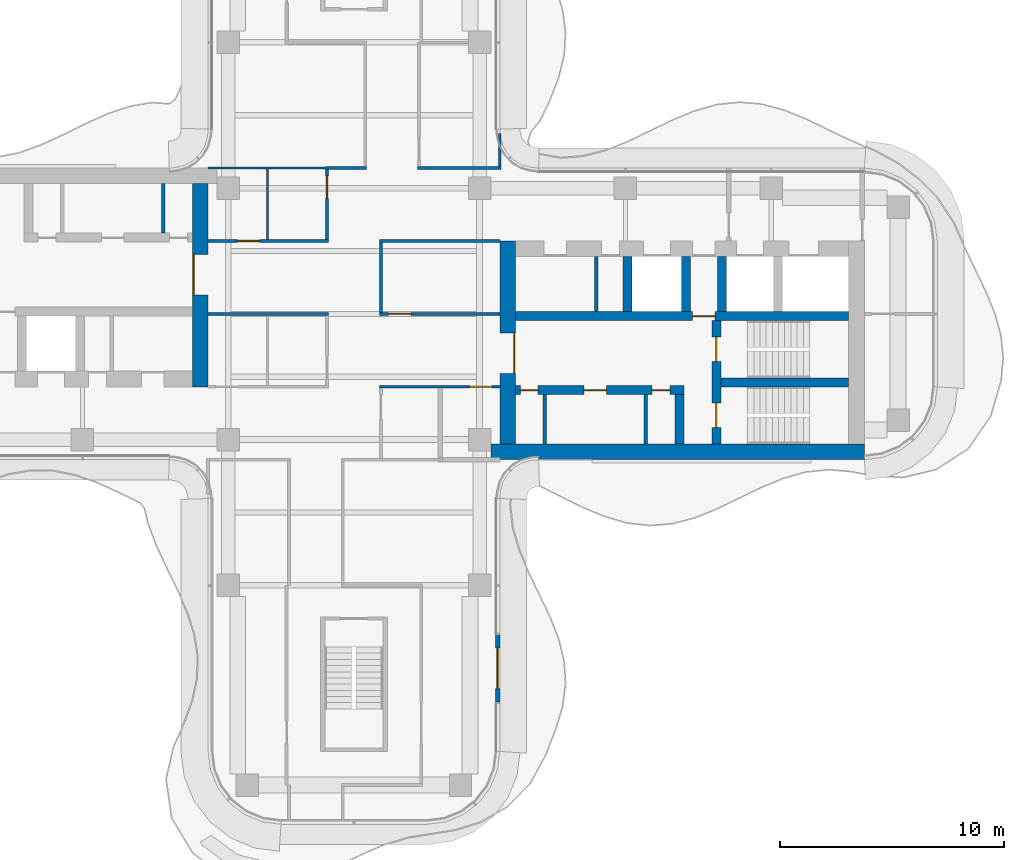
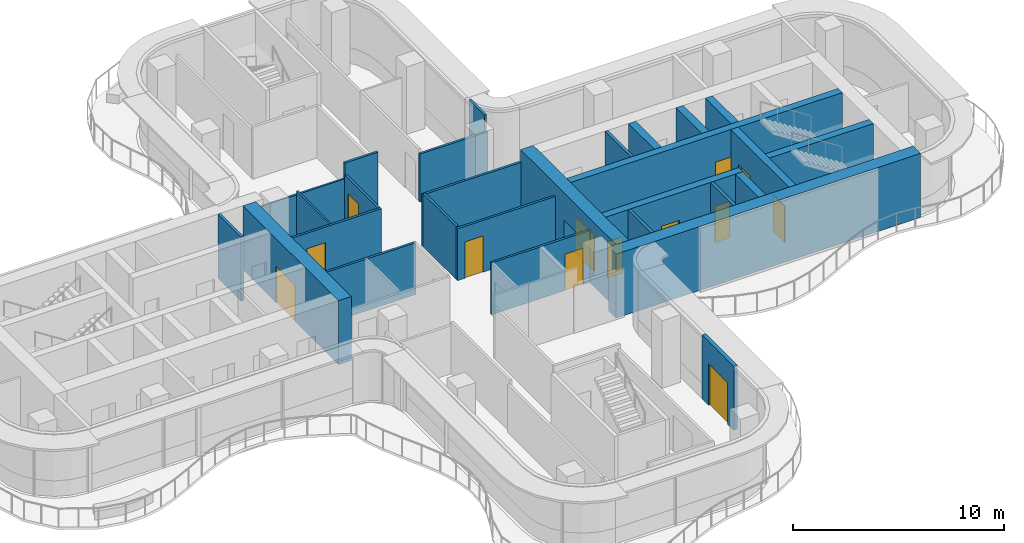
# One storey, part 12 of 16: 28 walls, 13 doors, 13 openings.
"""IFC4 building model written with IfcOpenShell, lengths in metres."""

from ifc_helpers import new_model, si_unit, direction, frame, frame_2d, origin, place, context, subcontext, project, spatial, rectangle, extrude, source, transform, mapped, material, layer, layer_set, type_object, element, fill, save


model = new_model("IFC4")

# Units and contexts
model_context = context("Model", 3, precision=1e-05, world=origin(), true_north=direction((0.0, 1.0)))
body_context = subcontext(model_context, "Body", "Model", "MODEL_VIEW")
ifc_project = project(units=[si_unit("LENGTHUNIT", "METRE"), si_unit("AREAUNIT", "SQUARE_METRE"), si_unit("VOLUMEUNIT", "CUBIC_METRE"), si_unit("PLANEANGLEUNIT", "RADIAN"), si_unit("MASSUNIT", "GRAM", prefix="KILO")], contexts=[model_context])

# Site, building, storey
site_placement = place(None, origin())
site = spatial("IfcSite", under=ifc_project, at=site_placement, CompositionType="ELEMENT")
building_placement = place(site_placement, origin())
building = spatial("IfcBuilding", under=site, at=building_placement, Name="Trellis Farm Tower", CompositionType="ELEMENT")
storey_placement = place(building_placement, frame((0.0, 0.0, 322.300048828125)))
storey = spatial("IfcBuildingStorey", under=building, at=storey_placement, Name="L73", CompositionType="ELEMENT", Elevation=322.300048828125)

# Wall, opening, door
ifc_material_1 = material(Name="Concrete C50/60", Category="concrete")
ifc_layer_1 = layer(ifc_material_1, 0.699951171875)
ifc_layer_set_1 = layer_set([ifc_layer_1], Name="CORE OUTER WALL 700 CONCRETE C50/60")
wall_type_1 = type_object("IfcWallType", Name="CORE OUTER WALL 700 CONCRETE C50/60", PredefinedType="SHEAR", material=ifc_layer_set_1)
shared_shape_1 = source(origin(), body_context, "Body", "SweptSolid", [
    extrude(rectangle(XDim=9.050048828125, YDim=0.699951171875, at=frame_2d((4.52490234375, 0.0))), origin(), (0.0, 0.0, 1.0), 3.699951171875),
])
wall_1_placement = place(storey_placement, frame((6.85009765625, -5.800048828125, 0.0), z_axis=(0.0, 0.0, 1.0), x_axis=(0.0, 1.0, 0.0)))
wall_1 = element("IfcWall", 1, at=wall_1_placement, inside=storey, type_object=wall_type_1, Name="Core wall", PredefinedType="SHEAR", context=body_context, shape_type="MappedRepresentation", body=[
    mapped(shared_shape_1, transform((0.0, 0.0, 0.0))),
])
shared_shape_2 = source(origin(), body_context, "Body", "SweptSolid", [
    extrude(rectangle(XDim=1.800048828125, YDim=2.10009765625, at=frame_2d((0.89990234375, 1.050048828125))), frame((0.0, 0.360107421875, 0.0), z_axis=(0.0, -1.0, 0.0), x_axis=(1.0, 0.0, 0.0)), (0.0, 0.0, 1.0), 0.72021484375),
])
opening_1_placement = place(wall_1_placement, frame((3.14990234375, 0.0, 0.0)))
opening_1 = element("IfcOpeningElement", 2, at=opening_1_placement, cuts=wall_1, Name="Opening DC1", PredefinedType="OPENING", context=body_context, shape_type="MappedRepresentation", body=[
    mapped(shared_shape_2, transform((0.0, 0.0, 0.0))),
])
ifc_material_2 = material(Name="Steel", Category="steel")
door_type_1 = type_object("IfcDoorType", Name="CORE FIRE DOOR DOUBLE 1800 X 2100", OperationType="DOUBLE_DOOR_SINGLE_SWING", PredefinedType="DOOR", material=ifc_material_2)
shared_shape_3 = source(origin(), body_context, "Body", "SweptSolid", [
    extrude(rectangle(XDim=1.800048828125, YDim=2.10009765625, at=frame_2d((0.89990234375, 1.050048828125))), frame((0.0, -0.27490234375, 0.0), z_axis=(0.0, -1.0, 0.0), x_axis=(1.0, 0.0, 0.0)), (0.0, 0.0, 1.0), 0.050048828125),
])
door_1_placement = place(opening_1_placement, origin())
door_1 = element("IfcDoor", 3, at=door_1_placement, inside=storey, type_object=door_type_1, Name="Core door", OperationType="DOUBLE_DOOR_SINGLE_SWING", OverallHeight=2.10009765625, OverallWidth=1.800048828125, PredefinedType="DOOR", context=body_context, shape_type="MappedRepresentation", body=[
    mapped(shared_shape_3, transform((0.0, 0.0, 0.0))),
])
fill(opening_1, door_1)

wall_2_placement = place(storey_placement, frame((-6.85009765625, 5.800048828125, 0.0), z_axis=(0.0, 0.0, 1.0), x_axis=(0.0, -1.0, 0.0)))
wall_2 = element("IfcWall", 4, at=wall_2_placement, inside=storey, type_object=wall_type_1, Name="Core wall", PredefinedType="SHEAR", context=body_context, shape_type="MappedRepresentation", body=[
    mapped(shared_shape_1, transform((0.0, 0.0, 0.0))),
])
opening_2_placement = place(wall_2_placement, frame((3.14990234375, 0.0, 0.0)))
opening_2 = element("IfcOpeningElement", 5, at=opening_2_placement, cuts=wall_2, Name="Opening DC87", PredefinedType="OPENING", context=body_context, shape_type="MappedRepresentation", body=[
    mapped(shared_shape_2, transform((0.0, 0.0, 0.0))),
])
door_2_placement = place(opening_2_placement, origin())
door_2 = element("IfcDoor", 6, at=door_2_placement, inside=storey, type_object=door_type_1, Name="Core door", OperationType="DOUBLE_DOOR_SINGLE_SWING", OverallHeight=2.10009765625, OverallWidth=1.800048828125, PredefinedType="DOOR", context=body_context, shape_type="MappedRepresentation", body=[
    mapped(shared_shape_3, transform((0.0, 0.0, 0.0))),
])
fill(opening_2, door_2)

# Walls
ifc_layer_2 = layer(ifc_material_1, 0.39990234375)
ifc_layer_set_2 = layer_set([ifc_layer_2], Name="CORE INNER WALL 400 CONCRETE C50/60")
wall_type_2 = type_object("IfcWallType", Name="CORE INNER WALL 400 CONCRETE C50/60", PredefinedType="SHEAR", material=ifc_layer_set_2)
shared_shape_4 = source(origin(), body_context, "Body", "SweptSolid", [
    extrude(rectangle(XDim=2.449951171875, YDim=0.39990234375, at=frame_2d((1.22509765625, 0.0))), origin(), (0.0, 0.0, 1.0), 3.699951171875),
])
for number, where, z_axis, x_axis, name in (
    (7, (12.199951171875, 0.10009765625, 0.0), (0.0, 0.0, 1.0), (0.0, 1.0, 0.0), "Core wall"),
    (8, (14.800048828125, 0.10009765625, 0.0), (0.0, 0.0, 1.0), (0.0, 1.0, 0.0), "Core wall"),
    (9, (16.39990234375, 0.10009765625, 0.0), (0.0, 0.0, 1.0), (0.0, 1.0, 0.0), "Core wall"),
):
    element("IfcWall", number, at=place(storey_placement, frame(where, z_axis=z_axis, x_axis=x_axis)), inside=storey, type_object=wall_type_2, Name=name, PredefinedType="SHEAR", context=body_context, shape_type="MappedRepresentation", body=[
        mapped(shared_shape_4, transform((0.0, 0.0, 0.0))),
    ])

# Wall, openings, doors
shared_shape_5 = source(origin(), body_context, "Body", "SweptSolid", [
    extrude(rectangle(XDim=7.5, YDim=0.39990234375, at=frame_2d((3.75, 0.0))), origin(), (0.0, 0.0, 1.0), 3.699951171875),
])
wall_3_placement = place(storey_placement, frame((7.199951171875, -3.39990234375, 0.0), z_axis=(0.0, 0.0, 1.0), x_axis=(1.0, 0.0, 0.0)))
wall_3 = element("IfcWall", 10, at=wall_3_placement, inside=storey, type_object=wall_type_2, Name="Core wall", PredefinedType="SHEAR", context=body_context, shape_type="MappedRepresentation", body=[
    mapped(shared_shape_5, transform((0.0, 0.0, 0.0))),
])
shared_shape_6 = source(origin(), body_context, "Body", "SweptSolid", [
    extrude(rectangle(XDim=0.800048828125, YDim=2.10009765625, at=frame_2d((0.39990234375, 1.050048828125))), frame((0.0, 0.2099609375, 0.0), z_axis=(0.0, -1.0, 0.0), x_axis=(1.0, 0.0, 0.0)), (0.0, 0.0, 1.0), 0.419921875),
])
opening_3_placement = place(wall_3_placement, frame((0.21240234375, 0.0, 0.0)))
opening_3 = element("IfcOpeningElement", 11, at=opening_3_placement, cuts=wall_3, Name="Opening DC51", PredefinedType="OPENING", context=body_context, shape_type="MappedRepresentation", body=[
    mapped(shared_shape_6, transform((0.0, 0.0, 0.0))),
])
shared_shape_7 = source(origin(), body_context, "Body", "SweptSolid", [
    extrude(rectangle(XDim=1.0, YDim=2.10009765625, at=frame_2d((0.5, 1.050048828125))), frame((0.0, 0.2099609375, 0.0), z_axis=(0.0, -1.0, 0.0), x_axis=(1.0, 0.0, 0.0)), (0.0, 0.0, 1.0), 0.419921875),
])
opening_4_placement = place(wall_3_placement, frame((3.050048828125, 0.0, 0.0)))
opening_4 = element("IfcOpeningElement", 12, at=opening_4_placement, cuts=wall_3, Name="Opening DC62", PredefinedType="OPENING", context=body_context, shape_type="MappedRepresentation", body=[
    mapped(shared_shape_7, transform((0.0, 0.0, 0.0))),
])
opening_5_placement = place(wall_3_placement, frame((6.08740234375, 0.0, 0.0)))
opening_5 = element("IfcOpeningElement", 13, at=opening_5_placement, cuts=wall_3, Name="Opening DC63", PredefinedType="OPENING", context=body_context, shape_type="MappedRepresentation", body=[
    mapped(shared_shape_6, transform((0.0, 0.0, 0.0))),
])
door_type_2 = type_object("IfcDoorType", Name="CORE FIRE DOOR 1000 X 2100", OperationType="NOTDEFINED", PredefinedType="DOOR", material=ifc_material_2)
shared_shape_8 = source(origin(), body_context, "Body", "SweptSolid", [
    extrude(rectangle(XDim=1.0, YDim=2.10009765625, at=frame_2d((0.5, 1.050048828125))), frame((0.0, 0.02490234375, 0.0), z_axis=(0.0, -1.0, 0.0), x_axis=(1.0, 0.0, 0.0)), (0.0, 0.0, 1.0), 0.050048828125),
])
door_3_placement = place(opening_4_placement, origin())
door_3 = element("IfcDoor", 14, at=door_3_placement, inside=storey, type_object=door_type_2, Name="Core door", OperationType="SINGLE_SWING_RIGHT", OverallHeight=2.10009765625, OverallWidth=1.0, PredefinedType="DOOR", context=body_context, shape_type="MappedRepresentation", body=[
    mapped(shared_shape_8, transform((0.0, 0.0, 0.0))),
])
fill(opening_4, door_3)
door_type_3 = type_object("IfcDoorType", Name="CORE FIRE DOOR 800 X 2100", OperationType="NOTDEFINED", PredefinedType="DOOR", material=ifc_material_2)
shared_shape_9 = source(origin(), body_context, "Body", "SweptSolid", [
    extrude(rectangle(XDim=0.800048828125, YDim=2.10009765625, at=frame_2d((0.39990234375, 1.050048828125))), frame((0.0, 0.02490234375, 0.0), z_axis=(0.0, -1.0, 0.0), x_axis=(1.0, 0.0, 0.0)), (0.0, 0.0, 1.0), 0.050048828125),
])
door_4_placement = place(opening_3_placement, origin())
door_4 = element("IfcDoor", 15, at=door_4_placement, inside=storey, type_object=door_type_3, Name="Core door", OperationType="SINGLE_SWING_LEFT", OverallHeight=2.10009765625, OverallWidth=0.800048828125, PredefinedType="DOOR", context=body_context, shape_type="MappedRepresentation", body=[
    mapped(shared_shape_9, transform((0.0, 0.0, 0.0))),
])
fill(opening_3, door_4)
door_5_placement = place(opening_5_placement, origin())
door_5 = element("IfcDoor", 16, at=door_5_placement, inside=storey, type_object=door_type_3, Name="Core door", OperationType="SINGLE_SWING_LEFT", OverallHeight=2.10009765625, OverallWidth=0.800048828125, PredefinedType="DOOR", context=body_context, shape_type="MappedRepresentation", body=[
    mapped(shared_shape_9, transform((0.0, 0.0, 0.0))),
])
fill(opening_5, door_5)

# Wall, opening, door
shared_shape_10 = source(origin(), body_context, "Body", "SweptSolid", [
    extrude(rectangle(XDim=14.85009765625, YDim=0.39990234375, at=frame_2d((7.425048828125, 0.0))), origin(), (0.0, 0.0, 1.0), 3.699951171875),
])
wall_4_placement = place(storey_placement, frame((7.199951171875, -0.10009765625, 0.0), z_axis=(0.0, 0.0, 1.0), x_axis=(1.0, 0.0, 0.0)))
wall_4 = element("IfcWall", 17, at=wall_4_placement, inside=storey, type_object=wall_type_2, Name="Core wall", PredefinedType="SHEAR", context=body_context, shape_type="MappedRepresentation", body=[
    mapped(shared_shape_10, transform((0.0, 0.0, 0.0))),
])
opening_6_placement = place(wall_4_placement, frame((7.89990234375, 0.0, 0.0)))
opening_6 = element("IfcOpeningElement", 18, at=opening_6_placement, cuts=wall_4, Name="Opening DC5", PredefinedType="OPENING", context=body_context, shape_type="MappedRepresentation", body=[
    mapped(shared_shape_7, transform((0.0, 0.0, 0.0))),
])
door_6_placement = place(opening_6_placement, origin())
door_6 = element("IfcDoor", 19, at=door_6_placement, inside=storey, type_object=door_type_2, Name="Core door", OperationType="SINGLE_SWING_RIGHT", OverallHeight=2.10009765625, OverallWidth=1.0, PredefinedType="DOOR", context=body_context, shape_type="MappedRepresentation", body=[
    mapped(shared_shape_8, transform((0.0, 0.0, 0.0))),
])
fill(opening_6, door_6)

# Wall, openings, doors
shared_shape_11 = source(origin(), body_context, "Body", "SweptSolid", [
    extrude(rectangle(XDim=5.5, YDim=0.39990234375, at=frame_2d((2.75, 0.0))), origin(), (0.0, 0.0, 1.0), 3.699951171875),
])
wall_5_placement = place(storey_placement, frame((16.14990234375, -5.800048828125, 0.0), z_axis=(0.0, 0.0, 1.0), x_axis=(0.0, 1.0, 0.0)))
wall_5 = element("IfcWall", 20, at=wall_5_placement, inside=storey, type_object=wall_type_2, Name="Core wall", PredefinedType="SHEAR", context=body_context, shape_type="MappedRepresentation", body=[
    mapped(shared_shape_11, transform((0.0, 0.0, 0.0))),
])
shared_shape_12 = source(origin(), body_context, "Body", "SweptSolid", [
    extrude(rectangle(XDim=1.10009765625, YDim=2.10009765625, at=frame_2d((0.550048828125, 1.050048828125))), frame((0.0, 0.2099609375, 0.0), z_axis=(0.0, -1.0, 0.0), x_axis=(1.0, 0.0, 0.0)), (0.0, 0.0, 1.0), 0.419921875),
])
opening_7_placement = place(wall_5_placement, frame((0.72509765625, 0.0, 0.0)))
opening_7 = element("IfcOpeningElement", 21, at=opening_7_placement, cuts=wall_5, Name="Opening DC2", PredefinedType="OPENING", context=body_context, shape_type="MappedRepresentation", body=[
    mapped(shared_shape_12, transform((0.0, 0.0, 0.0))),
])
opening_8_placement = place(wall_5_placement, frame((3.675048828125, 0.0, 0.0)))
opening_8 = element("IfcOpeningElement", 22, at=opening_8_placement, cuts=wall_5, Name="Opening DC3", PredefinedType="OPENING", context=body_context, shape_type="MappedRepresentation", body=[
    mapped(shared_shape_12, transform((0.0, 0.0, 0.0))),
])
door_type_4 = type_object("IfcDoorType", Name="CORE FIRE DOOR 1100 X 2100", OperationType="NOTDEFINED", PredefinedType="DOOR", material=ifc_material_2)
shared_shape_13 = source(origin(), body_context, "Body", "SweptSolid", [
    extrude(rectangle(XDim=1.10009765625, YDim=2.10009765625, at=frame_2d((0.550048828125, 1.050048828125))), frame((0.0, 0.02490234375, 0.0), z_axis=(0.0, -1.0, 0.0), x_axis=(1.0, 0.0, 0.0)), (0.0, 0.0, 1.0), 0.050048828125),
])
door_7_placement = place(opening_7_placement, origin())
door_7 = element("IfcDoor", 23, at=door_7_placement, inside=storey, type_object=door_type_4, Name="Core door", OperationType="SINGLE_SWING_RIGHT", OverallHeight=2.10009765625, OverallWidth=1.10009765625, PredefinedType="DOOR", context=body_context, shape_type="MappedRepresentation", body=[
    mapped(shared_shape_13, transform((0.0, 0.0, 0.0))),
])
fill(opening_7, door_7)
door_8_placement = place(opening_8_placement, origin())
door_8 = element("IfcDoor", 24, at=door_8_placement, inside=storey, type_object=door_type_4, Name="Core door", OperationType="SINGLE_SWING_LEFT", OverallHeight=2.10009765625, OverallWidth=1.10009765625, PredefinedType="DOOR", context=body_context, shape_type="MappedRepresentation", body=[
    mapped(shared_shape_13, transform((0.0, 0.0, 0.0))),
])
fill(opening_8, door_8)

# Walls
shared_shape_14 = source(origin(), body_context, "Body", "SweptSolid", [
    extrude(rectangle(XDim=5.699951171875, YDim=0.39990234375, at=frame_2d((2.85009765625, 0.0))), origin(), (0.0, 0.0, 1.0), 3.699951171875),
])
wall_6_placement = place(storey_placement, frame((16.35009765625, -3.050048828125, 0.0), z_axis=(0.0, 0.0, 1.0), x_axis=(1.0, 0.0, 0.0)))
element("IfcWall", 25, at=wall_6_placement, inside=storey, type_object=wall_type_2, Name="Core wall", PredefinedType="SHEAR", context=body_context, shape_type="MappedRepresentation", body=[
    mapped(shared_shape_14, transform((0.0, 0.0, 0.0))),
])
shared_shape_15 = source(origin(), body_context, "Body", "SweptSolid", [
    extrude(rectangle(XDim=2.199951171875, YDim=0.39990234375, at=frame_2d((1.10009765625, 0.0))), origin(), (0.0, 0.0, 1.0), 3.699951171875),
])
wall_7_placement = place(storey_placement, frame((14.5, -5.800048828125, 0.0), z_axis=(0.0, 0.0, 1.0), x_axis=(0.0, 1.0, 0.0)))
element("IfcWall", 26, at=wall_7_placement, inside=storey, type_object=wall_type_2, Name="Core wall", PredefinedType="SHEAR", context=body_context, shape_type="MappedRepresentation", body=[
    mapped(shared_shape_15, transform((0.0, 0.0, 0.0))),
])
ifc_material_3 = material(Name="Masonry blockwork", Category="masonry")
ifc_layer_3 = layer(ifc_material_3, 0.14990234375)
ifc_layer_set_3 = layer_set([ifc_layer_3], Name="CORE PARTITION 150 BLOCKWORK")
wall_type_3 = type_object("IfcWallType", Name="CORE PARTITION 150 BLOCKWORK", PredefinedType="PARTITIONING", material=ifc_layer_set_3)
shared_shape_16 = source(origin(), body_context, "Body", "SweptSolid", [
    extrude(rectangle(XDim=2.199951171875, YDim=0.14990234375, at=frame_2d((1.10009765625, 0.0))), origin(), (0.0, 0.0, 1.0), 3.699951171875),
])
for number, where, z_axis, x_axis, name in (
    (27, (8.5, -5.800048828125, 0.0), (0.0, 0.0, 1.0), (0.0, 1.0, 0.0), "Core room partition"),
    (28, (13.0, -5.800048828125, 0.0), (0.0, 0.0, 1.0), (0.0, 1.0, 0.0), "Core room partition"),
    (29, (-8.5, 5.800048828125, 0.0), (0.0, 0.0, 1.0), (0.0, -1.0, 0.0), "Core room partition"),
):
    element("IfcWall", number, at=place(storey_placement, frame(where, z_axis=z_axis, x_axis=x_axis)), inside=storey, type_object=wall_type_3, Name=name, PredefinedType="PARTITIONING", context=body_context, shape_type="MappedRepresentation", body=[
        mapped(shared_shape_16, transform((0.0, 0.0, 0.0))),
    ])
shared_shape_17 = source(origin(), body_context, "Body", "SweptSolid", [
    extrude(rectangle(XDim=16.64990234375, YDim=0.699951171875, at=frame_2d((8.324951171875, 0.0))), origin(), (0.0, 0.0, 1.0), 3.699951171875),
])
wall_8_placement = place(storey_placement, frame((6.10009765625, -6.14990234375, 0.0), z_axis=(0.0, 0.0, 1.0), x_axis=(1.0, 0.0, 0.0)))
element("IfcWall", 30, at=wall_8_placement, inside=storey, type_object=wall_type_1, Name="Core wall", PredefinedType="SHEAR", context=body_context, shape_type="MappedRepresentation", body=[
    mapped(shared_shape_17, transform((0.0, 0.0, 0.0))),
])
shared_shape_18 = source(origin(), body_context, "Body", "SweptSolid", [
    extrude(rectangle(XDim=2.449951171875, YDim=0.14990234375, at=frame_2d((1.22509765625, 0.0))), origin(), (0.0, 0.0, 1.0), 3.699951171875),
])
wall_9_placement = place(storey_placement, frame((10.800048828125, 0.10009765625, 0.0), z_axis=(0.0, 0.0, 1.0), x_axis=(0.0, 1.0, 0.0)))
element("IfcWall", 31, at=wall_9_placement, inside=storey, type_object=wall_type_3, Name="Core room partition", PredefinedType="PARTITIONING", context=body_context, shape_type="MappedRepresentation", body=[
    mapped(shared_shape_18, transform((0.0, 0.0, 0.0))),
])

# Wall, opening, door
ifc_material_4 = material(Name="Sandstone faced insulated wall", Category="masonry")
ifc_layer_4 = layer(ifc_material_4, 0.199951171875)
ifc_layer_set_4 = layer_set([ifc_layer_4], Name="EXTERNAL INFILL WALL 200")
wall_type_4 = type_object("IfcWallType", Name="EXTERNAL INFILL WALL 200", PredefinedType="SOLIDWALL", material=ifc_layer_set_4)
shared_shape_19 = source(origin(), body_context, "Body", "SweptSolid", [
    extrude(rectangle(XDim=3.0, YDim=0.199951171875, at=frame_2d((1.5, 0.0))), origin(), (0.0, 0.0, 1.0), 3.699951171875),
])
wall_10_placement = place(storey_placement, frame((6.39990234375, -17.300048828125, 0.0), z_axis=(0.0, 0.0, 1.0), x_axis=(0.0, 1.0, 0.0)))
wall_10 = element("IfcWall", 32, at=wall_10_placement, inside=storey, type_object=wall_type_4, Name="EW1 01", PredefinedType="SOLIDWALL", context=body_context, shape_type="MappedRepresentation", body=[
    mapped(shared_shape_19, transform((0.0, 0.0, 0.0))),
])
shared_shape_20 = source(origin(), body_context, "Body", "SweptSolid", [
    extrude(rectangle(XDim=1.800048828125, YDim=2.39990234375, at=frame_2d((0.89990234375, 1.199951171875))), frame((0.0, 0.110107421875, 0.0), z_axis=(0.0, -1.0, 0.0), x_axis=(1.0, 0.0, 0.0)), (0.0, 0.0, 1.0), 0.22021484375),
])
opening_9_placement = place(wall_10_placement, frame((0.60009765625, 0.0, 0.0)))
opening_9 = element("IfcOpeningElement", 33, at=opening_9_placement, cuts=wall_10, Name="Opening ED1", PredefinedType="OPENING", context=body_context, shape_type="MappedRepresentation", body=[
    mapped(shared_shape_20, transform((0.0, 0.0, 0.0))),
])
ifc_material_5 = material(Name="Aluminium framed glazed door", Category="aluminium")
door_type_5 = type_object("IfcDoorType", Name="BALCONY DOOR 1800x2400", OperationType="DOUBLE_DOOR_SINGLE_SWING", PredefinedType="DOOR", material=ifc_material_5)
shared_shape_21 = source(origin(), body_context, "Body", "SweptSolid", [
    extrude(rectangle(XDim=1.800048828125, YDim=2.39990234375, at=frame_2d((0.89990234375, 1.199951171875))), frame((0.0, 0.02490234375, 0.0), z_axis=(0.0, -1.0, 0.0), x_axis=(1.0, 0.0, 0.0)), (0.0, 0.0, 1.0), 0.050048828125),
])
door_9_placement = place(opening_9_placement, origin())
door_9 = element("IfcDoor", 34, at=door_9_placement, inside=storey, type_object=door_type_5, Name="Balcony door", OperationType="DOUBLE_DOOR_SINGLE_SWING", OverallHeight=2.39990234375, OverallWidth=1.800048828125, PredefinedType="DOOR", context=body_context, shape_type="MappedRepresentation", body=[
    mapped(shared_shape_21, transform((0.0, 0.0, 0.0))),
])
fill(opening_9, door_9)

ifc_material_6 = material(Name="Plasterboard on steel studs, mineral wool", Category="steel")
ifc_layer_5 = layer(ifc_material_6, 0.125)
ifc_layer_set_5 = layer_set([ifc_layer_5], Name="PARTITION 125 STUD EI 60")
wall_type_5 = type_object("IfcWallType", Name="PARTITION 125 STUD EI 60", PredefinedType="PARTITIONING", material=ifc_layer_set_5)
shared_shape_22 = source(origin(), body_context, "Body", "SweptSolid", [
    extrude(rectangle(XDim=3.137451171875, YDim=0.125, at=frame_2d((1.56884765625, 0.0))), origin(), (0.0, 0.0, 1.0), 2.99658203125),
])
wall_11_placement = place(storey_placement, frame((-1.199951171875, 6.449951171875, 0.0), z_axis=(0.0, 0.0, 1.0), x_axis=(0.0, -1.0, 0.0)))
wall_11 = element("IfcWall", 35, at=wall_11_placement, inside=storey, type_object=wall_type_5, Name="Partition PW1", PredefinedType="PARTITIONING", context=body_context, shape_type="MappedRepresentation", body=[
    mapped(shared_shape_22, transform((0.0, 0.0, 0.0))),
])
shared_shape_23 = source(origin(), body_context, "Body", "SweptSolid", [
    extrude(rectangle(XDim=1.0, YDim=2.10009765625, at=frame_2d((0.5, 1.050048828125))), frame((0.0, 0.072509765625, 0.0), z_axis=(0.0, -1.0, 0.0), x_axis=(1.0, 0.0, 0.0)), (0.0, 0.0, 1.0), 0.14501953125),
])
opening_10_placement = place(wall_11_placement, frame((0.300048828125, 0.0, 0.0)))
opening_10 = element("IfcOpeningElement", 36, at=opening_10_placement, cuts=wall_11, Name="Opening D108", PredefinedType="OPENING", context=body_context, shape_type="MappedRepresentation", body=[
    mapped(shared_shape_23, transform((0.0, 0.0, 0.0))),
])
ifc_material_7 = material(Name="Fire-rated timber door leaf in a hollow metal frame", Category="wood")
door_type_6 = type_object("IfcDoorType", Name="DOOR 1000x2100 FD30S", OperationType="NOTDEFINED", PredefinedType="DOOR", material=ifc_material_7)
door_10_placement = place(opening_10_placement, origin())
door_10 = element("IfcDoor", 37, at=door_10_placement, inside=storey, type_object=door_type_6, Name="Door D108", OperationType="SINGLE_SWING_LEFT", OverallHeight=2.10009765625, OverallWidth=1.0, PredefinedType="DOOR", context=body_context, shape_type="MappedRepresentation", body=[
    mapped(shared_shape_8, transform((0.0, 0.0, 0.0))),
])
fill(opening_10, door_10)

# Walls
shared_shape_24 = source(origin(), body_context, "Body", "SweptSolid", [
    extrude(rectangle(XDim=3.125, YDim=0.125, at=frame_2d((1.5625, 0.0))), origin(), (0.0, 0.0, 1.0), 3.06787109375),
])
wall_12_placement = place(storey_placement, frame((1.199951171875, 3.1875, 0.0), z_axis=(0.0, 0.0, 1.0), x_axis=(0.0, -1.0, 0.0)))
element("IfcWall", 38, at=wall_12_placement, inside=storey, type_object=wall_type_5, Name="Partition PW1", PredefinedType="PARTITIONING", context=body_context, shape_type="MappedRepresentation", body=[
    mapped(shared_shape_24, transform((0.0, 0.0, 0.0))),
])
shared_shape_25 = source(origin(), body_context, "Body", "SweptSolid", [
    extrude(rectangle(XDim=1.468994140625, YDim=0.125, at=frame_2d((0.734375, 0.0))), origin(), (0.0, 0.0, 1.0), 3.699951171875),
])
wall_13_placement = place(storey_placement, frame((6.5, 6.5625, 0.0), z_axis=(0.0, 0.0, 1.0), x_axis=(0.0, 1.0, 0.0)))
element("IfcWall", 39, at=wall_13_placement, inside=storey, type_object=wall_type_5, Name="Partition PW1", PredefinedType="PARTITIONING", context=body_context, shape_type="MappedRepresentation", body=[
    mapped(shared_shape_25, transform((0.0, 0.0, 0.0))),
])

# Wall, opening, door
shared_shape_26 = source(origin(), body_context, "Body", "SweptSolid", [
    extrude(rectangle(XDim=5.362548828125, YDim=0.125, at=frame_2d((2.68115234375, 0.0))), origin(), (0.0, 0.0, 1.0), 2.99658203125),
])
wall_14_placement = place(storey_placement, frame((6.5, -3.25, 0.0), z_axis=(0.0, 0.0, 1.0), x_axis=(-1.0, 0.0, 0.0)))
wall_14 = element("IfcWall", 40, at=wall_14_placement, inside=storey, type_object=wall_type_5, Name="Partition PW1", PredefinedType="PARTITIONING", context=body_context, shape_type="MappedRepresentation", body=[
    mapped(shared_shape_26, transform((0.0, 0.0, 0.0))),
])
opening_11_placement = place(wall_14_placement, frame((0.35009765625, 0.0, 0.0)))
opening_11 = element("IfcOpeningElement", 41, at=opening_11_placement, cuts=wall_14, Name="Opening D301", PredefinedType="OPENING", context=body_context, shape_type="MappedRepresentation", body=[
    mapped(shared_shape_23, transform((0.0, 0.0, 0.0))),
])
door_type_7 = type_object("IfcDoorType", Name="DOOR 1000x2100 FD60", OperationType="NOTDEFINED", PredefinedType="DOOR", material=ifc_material_7)
door_11_placement = place(opening_11_placement, origin())
door_11 = element("IfcDoor", 42, at=door_11_placement, inside=storey, type_object=door_type_7, Name="Door D301", OperationType="SINGLE_SWING_LEFT", OverallHeight=2.10009765625, OverallWidth=1.0, PredefinedType="DOOR", context=body_context, shape_type="MappedRepresentation", body=[
    mapped(shared_shape_8, transform((0.0, 0.0, 0.0))),
])
fill(opening_11, door_11)

# Wall
wall_15_placement = place(storey_placement, frame((-1.137451171875, 0.0, 0.0), z_axis=(0.0, 0.0, 1.0), x_axis=(-1.0, 0.0, 0.0)))
element("IfcWall", 43, at=wall_15_placement, inside=storey, type_object=wall_type_5, Name="Partition PW1", PredefinedType="PARTITIONING", context=body_context, shape_type="MappedRepresentation", body=[
    mapped(shared_shape_26, transform((0.0, 0.0, 0.0))),
])

# Wall, opening, door
wall_16_placement = place(storey_placement, frame((6.5, 0.0, 0.0), z_axis=(0.0, 0.0, 1.0), x_axis=(-1.0, 0.0, 0.0)))
wall_16 = element("IfcWall", 44, at=wall_16_placement, inside=storey, type_object=wall_type_5, Name="Partition PW1", PredefinedType="PARTITIONING", context=body_context, shape_type="MappedRepresentation", body=[
    mapped(shared_shape_26, transform((0.0, 0.0, 0.0))),
])
opening_12_placement = place(wall_16_placement, frame((3.949951171875, 0.0, 0.0)))
opening_12 = element("IfcOpeningElement", 45, at=opening_12_placement, cuts=wall_16, Name="Opening D105", PredefinedType="OPENING", context=body_context, shape_type="MappedRepresentation", body=[
    mapped(shared_shape_23, transform((0.0, 0.0, 0.0))),
])
door_12_placement = place(opening_12_placement, origin())
door_12 = element("IfcDoor", 46, at=door_12_placement, inside=storey, type_object=door_type_6, Name="Door D105", OperationType="SINGLE_SWING_RIGHT", OverallHeight=2.10009765625, OverallWidth=1.0, PredefinedType="DOOR", context=body_context, shape_type="MappedRepresentation", body=[
    mapped(shared_shape_8, transform((0.0, 0.0, 0.0))),
])
fill(opening_12, door_12)

wall_17_placement = place(storey_placement, frame((-6.5, 3.25, 0.0), z_axis=(0.0, 0.0, 1.0), x_axis=(1.0, 0.0, 0.0)))
wall_17 = element("IfcWall", 47, at=wall_17_placement, inside=storey, type_object=wall_type_5, Name="Partition PW1", PredefinedType="PARTITIONING", context=body_context, shape_type="MappedRepresentation", body=[
    mapped(shared_shape_26, transform((0.0, 0.0, 0.0))),
])
opening_13_placement = place(wall_17_placement, frame((1.300048828125, 0.0, 0.0)))
opening_13 = element("IfcOpeningElement", 48, at=opening_13_placement, cuts=wall_17, Name="Opening D107", PredefinedType="OPENING", context=body_context, shape_type="MappedRepresentation", body=[
    mapped(shared_shape_23, transform((0.0, 0.0, 0.0))),
])
door_13_placement = place(opening_13_placement, origin())
door_13 = element("IfcDoor", 49, at=door_13_placement, inside=storey, type_object=door_type_6, Name="Door D107", OperationType="SINGLE_SWING_RIGHT", OverallHeight=2.10009765625, OverallWidth=1.0, PredefinedType="DOOR", context=body_context, shape_type="MappedRepresentation", body=[
    mapped(shared_shape_8, transform((0.0, 0.0, 0.0))),
])
fill(opening_13, door_13)

# Walls
wall_18_placement = place(storey_placement, frame((1.137451171875, 3.25, 0.0), z_axis=(0.0, 0.0, 1.0), x_axis=(1.0, 0.0, 0.0)))
element("IfcWall", 50, at=wall_18_placement, inside=storey, type_object=wall_type_5, Name="Partition PW1", PredefinedType="PARTITIONING", context=body_context, shape_type="MappedRepresentation", body=[
    mapped(shared_shape_26, transform((0.0, 0.0, 0.0))),
])
ifc_material_8 = material(Name="Plasterboard on steel studs", Category="steel")
ifc_layer_6 = layer(ifc_material_8, 0.10009765625)
ifc_layer_set_6 = layer_set([ifc_layer_6], Name="PARTITION 100 STUD EI 30")
wall_type_6 = type_object("IfcWallType", Name="PARTITION 100 STUD EI 30", PredefinedType="PARTITIONING", material=ifc_layer_set_6)
shared_shape_27 = source(origin(), body_context, "Body", "SweptSolid", [
    extrude(rectangle(XDim=5.362548828125, YDim=0.10009765625, at=frame_2d((2.68115234375, 0.0))), origin(), (0.0, 0.0, 1.0), 2.780029296875),
])
wall_19_placement = place(storey_placement, frame((-6.5, 6.5, 0.0), z_axis=(0.0, 0.0, 1.0), x_axis=(1.0, 0.0, 0.0)))
element("IfcWall", 51, at=wall_19_placement, inside=storey, type_object=wall_type_6, Name="Partition PW2", PredefinedType="PARTITIONING", context=body_context, shape_type="MappedRepresentation", body=[
    mapped(shared_shape_27, transform((0.0, 0.0, 0.0))),
])
shared_shape_28 = source(origin(), body_context, "Body", "SweptSolid", [
    extrude(rectangle(XDim=1.824951171875, YDim=0.125, at=frame_2d((0.91259765625, 0.0))), origin(), (0.0, 0.0, 1.0), 3.699951171875),
])
wall_20_placement = place(storey_placement, frame((-1.262451171875, 6.5, 0.0), z_axis=(0.0, 0.0, 1.0), x_axis=(1.0, 0.0, 0.0)))
element("IfcWall", 52, at=wall_20_placement, inside=storey, type_object=wall_type_5, Name="Partition PW1", PredefinedType="PARTITIONING", context=body_context, shape_type="MappedRepresentation", body=[
    mapped(shared_shape_28, transform((0.0, 0.0, 0.0))),
])
shared_shape_29 = source(origin(), body_context, "Body", "SweptSolid", [
    extrude(rectangle(XDim=3.72509765625, YDim=0.125, at=frame_2d((1.862548828125, 0.0))), origin(), (0.0, 0.0, 1.0), 2.780029296875),
])
wall_21_placement = place(storey_placement, frame((2.83740234375, 6.5, 0.0), z_axis=(0.0, 0.0, 1.0), x_axis=(1.0, 0.0, 0.0)))
element("IfcWall", 53, at=wall_21_placement, inside=storey, type_object=wall_type_5, Name="Partition PW1", PredefinedType="PARTITIONING", context=body_context, shape_type="MappedRepresentation", body=[
    mapped(shared_shape_29, transform((0.0, 0.0, 0.0))),
])
shared_shape_30 = source(origin(), body_context, "Body", "SweptSolid", [
    extrude(rectangle(XDim=3.137451171875, YDim=0.10009765625, at=frame_2d((1.56884765625, 0.0))), origin(), (0.0, 0.0, 1.0), 2.99658203125),
])
wall_22_placement = place(storey_placement, frame((-3.85009765625, 3.3125, 0.0), z_axis=(0.0, 0.0, 1.0), x_axis=(0.0, 1.0, 0.0)))
element("IfcWall", 54, at=wall_22_placement, inside=storey, type_object=wall_type_6, Name="Partition PW2", PredefinedType="PARTITIONING", context=body_context, shape_type="MappedRepresentation", body=[
    mapped(shared_shape_30, transform((0.0, 0.0, 0.0))),
])

save(model, "model.ifc")
